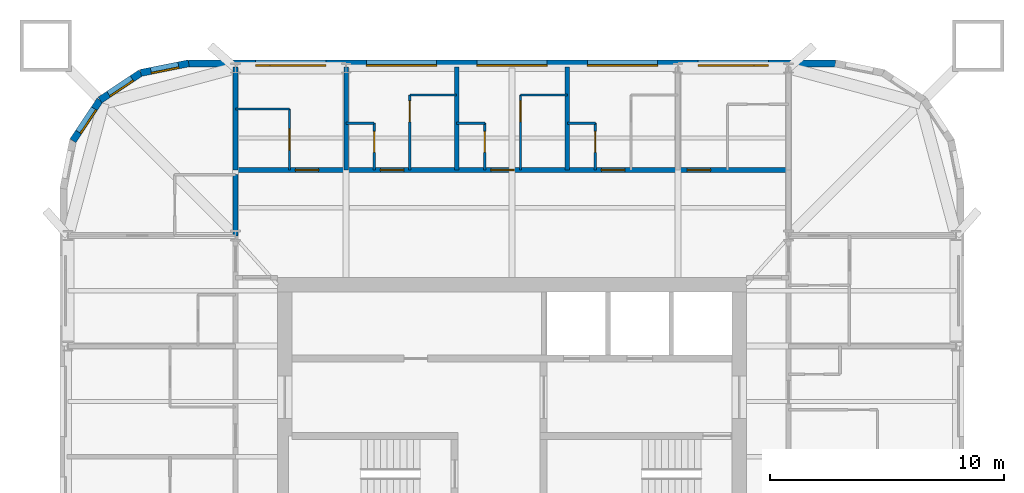
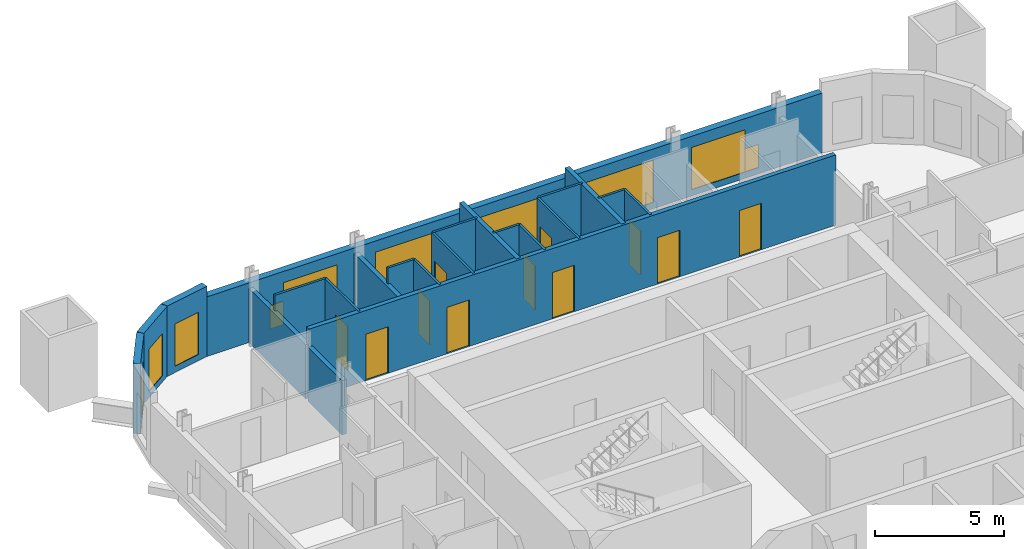
# One storey, part 7 of 9: 22 walls, 11 doors, 10 windows, 21 openings.
"""IFC4 building model written with IfcOpenShell, lengths in metres."""

from ifc_helpers import new_model, si_unit, direction, frame, frame_2d, origin, place, context, subcontext, project, spatial, rectangle, extrude, material, layer, layer_set, type_object, element, fill, save


model = new_model("IFC4")

# Units and contexts
model_context = context("Model", 3, precision=1e-05, world=origin(), true_north=direction((0.0, 1.0)))
body_context = subcontext(model_context, "Body", "Model", "MODEL_VIEW")
ifc_project = project(units=[si_unit("LENGTHUNIT", "METRE"), si_unit("AREAUNIT", "SQUARE_METRE"), si_unit("VOLUMEUNIT", "CUBIC_METRE"), si_unit("PLANEANGLEUNIT", "RADIAN"), si_unit("MASSUNIT", "GRAM", prefix="KILO")], contexts=[model_context])

# Site, building, storey
site_placement = place(None, origin())
site = spatial("IfcSite", under=ifc_project, at=site_placement, CompositionType="ELEMENT")
building_placement = place(site_placement, origin())
building = spatial("IfcBuilding", under=site, at=building_placement, Name="Turquesa Mirador Hotel Tower", CompositionType="ELEMENT")
storey_placement = place(building_placement, frame((0.0, 0.0, 172.300048828125)))
storey = spatial("IfcBuildingStorey", under=building, at=storey_placement, Name="L46", CompositionType="ELEMENT", Elevation=172.300048828125)

# Walls
ifc_material_1 = material(Name="Gypsum board on steel studs", Category="steel")
ifc_layer_1 = layer(ifc_material_1, 0.10009765625)
ifc_layer_set_1 = layer_set([ifc_layer_1], Name="BATHROOM WALL 100")
wall_type_1 = type_object("IfcWallType", Name="BATHROOM WALL 100", PredefinedType="PARTITIONING", material=ifc_layer_set_1)
for number, where, z_axis, x_axis, name in (
    (1, (47.919921875, 61.60009765625, 0.0), (0.0, 0.0, 1.0), (1.0, 0.0, 0.0), "Partition L46 031"),
    (2, (52.639892578125, 61.60009765625, 0.0), (0.0, 0.0, 1.0), (1.0, 0.0, 0.0), "Partition L46 032"),
):
    element("IfcWall", number, at=place(storey_placement, frame(where, z_axis=z_axis, x_axis=x_axis)), inside=storey, type_object=wall_type_1, Name=name, PredefinedType="PARTITIONING", context=body_context, shape_type="SweptSolid", body=[
        extrude(rectangle(XDim=1.2001953125, YDim=0.10009765625, at=frame_2d((0.60009765625, 0.0))), origin(), (0.0, 0.0, 1.0), 3.329833984375),
    ])
wall_1_placement = place(storey_placement, frame((57.360107421875, 61.60009765625, 0.0), z_axis=(0.0, 0.0, 1.0), x_axis=(1.0, 0.0, 0.0)))
element("IfcWall", 3, at=wall_1_placement, inside=storey, type_object=wall_type_1, Name="Partition L46 033", PredefinedType="PARTITIONING", context=body_context, shape_type="SweptSolid", body=[
    extrude(rectangle(XDim=1.199951171875, YDim=0.10009765625, at=frame_2d((0.60009765625, 0.0))), origin(), (0.0, 0.0, 1.0), 3.329833984375),
])
wall_2_placement = place(storey_placement, frame((43.199951171875, 62.199951171875, 0.0), z_axis=(0.0, 0.0, 1.0), x_axis=(1.0, 0.0, 0.0)))
element("IfcWall", 4, at=wall_2_placement, inside=storey, type_object=wall_type_1, Name="Partition L46 034", PredefinedType="PARTITIONING", context=body_context, shape_type="SweptSolid", body=[
    extrude(rectangle(XDim=2.300048828125, YDim=0.10009765625, at=frame_2d((1.14990234375, 0.0))), origin(), (0.0, 0.0, 1.0), 3.329833984375),
])
for number, where, z_axis, x_axis, name in (
    (5, (50.639892578125, 62.800048828125, 0.0), (0.0, 0.0, 1.0), (1.0, 0.0, 0.0), "Partition L46 036"),
    (6, (55.360107421875, 62.800048828125, 0.0), (0.0, 0.0, 1.0), (1.0, 0.0, 0.0), "Partition L46 037"),
):
    element("IfcWall", number, at=place(storey_placement, frame(where, z_axis=z_axis, x_axis=x_axis)), inside=storey, type_object=wall_type_1, Name=name, PredefinedType="PARTITIONING", context=body_context, shape_type="SweptSolid", body=[
        extrude(rectangle(XDim=2.0, YDim=0.10009765625, at=frame_2d((1.0, 0.0))), origin(), (0.0, 0.0, 1.0), 3.329833984375),
    ])

# Wall, opening, door
wall_3_placement = place(storey_placement, frame((53.840087890625, 59.60009765625, 0.0), z_axis=(0.0, 0.0, 1.0), x_axis=(0.0, 1.0, 0.0)))
wall_3 = element("IfcWall", 7, at=wall_3_placement, inside=storey, type_object=wall_type_1, Name="Partition L46 048", PredefinedType="PARTITIONING", context=body_context, shape_type="SweptSolid", body=[
    extrude(rectangle(XDim=2.0, YDim=0.10009765625, at=frame_2d((1.0, 0.0))), origin(), (0.0, 0.0, 1.0), 3.329833984375),
])
opening_1_placement = place(wall_3_placement, frame((0.75, 0.0, 0.0)))
opening_1 = element("IfcOpeningElement", 8, at=opening_1_placement, cuts=wall_3, Name="Opening D06", PredefinedType="OPENING", context=body_context, shape_type="SweptSolid", body=[
    extrude(rectangle(XDim=0.89990234375, YDim=2.10009765625, at=frame_2d((0.449951171875, 1.050048828125))), frame((0.0, 0.06005859375, 0.0), z_axis=(0.0, -1.0, 0.0), x_axis=(1.0, 0.0, 0.0)), (0.0, 0.0, 1.0), 0.1201171875),
])
ifc_material_2 = material(Name="Laminate door", Category="wood")
door_type_1 = type_object("IfcDoorType", Name="DOOR 900X2100 WC", OperationType="SINGLE_SWING_LEFT", PredefinedType="DOOR", material=ifc_material_2)
door_1_placement = place(opening_1_placement, origin())
door_1 = element("IfcDoor", 9, at=door_1_placement, inside=storey, type_object=door_type_1, Name="Door 4603W", OperationType="SINGLE_SWING_LEFT", OverallHeight=2.10009765625, OverallWidth=0.89990234375, PredefinedType="DOOR", context=body_context, shape_type="SweptSolid", body=[
    extrude(rectangle(XDim=0.89990234375, YDim=2.10009765625, at=frame_2d((0.449951171875, 1.050048828125))), frame((0.0, 0.02490234375, 0.0), z_axis=(0.0, -1.0, 0.0), x_axis=(1.0, 0.0, 0.0)), (0.0, 0.0, 1.0), 0.050048828125),
])
fill(opening_1, door_1)

wall_4_placement = place(storey_placement, frame((50.639892578125, 59.60009765625, 0.0), z_axis=(0.0, 0.0, 1.0), x_axis=(0.0, 1.0, 0.0)))
wall_4 = element("IfcWall", 10, at=wall_4_placement, inside=storey, type_object=wall_type_1, Name="Partition L46 062", PredefinedType="PARTITIONING", context=body_context, shape_type="SweptSolid", body=[
    extrude(rectangle(XDim=3.199951171875, YDim=0.10009765625, at=frame_2d((1.60009765625, 0.0))), origin(), (0.0, 0.0, 1.0), 3.329833984375),
])
opening_2_placement = place(wall_4_placement, frame((2.050048828125, 0.0, 0.0)))
opening_2 = element("IfcOpeningElement", 11, at=opening_2_placement, cuts=wall_4, Name="Opening D02", PredefinedType="OPENING", context=body_context, shape_type="SweptSolid", body=[
    extrude(rectangle(XDim=0.89990234375, YDim=2.10009765625, at=frame_2d((0.449951171875, 1.050048828125))), frame((0.0, 0.06005859375, 0.0), z_axis=(0.0, -1.0, 0.0), x_axis=(1.0, 0.0, 0.0)), (0.0, 0.0, 1.0), 0.1201171875),
])
ifc_material_3 = material(Name="Timber veneered door", Category="wood")
door_type_2 = type_object("IfcDoorType", Name="DOOR 900X2100 EN-SUITE", OperationType="SINGLE_SWING_RIGHT", PredefinedType="DOOR", material=ifc_material_3)
door_2_placement = place(opening_2_placement, origin())
door_2 = element("IfcDoor", 12, at=door_2_placement, inside=storey, type_object=door_type_2, Name="Door 4602B", OperationType="SINGLE_SWING_RIGHT", OverallHeight=2.10009765625, OverallWidth=0.89990234375, PredefinedType="DOOR", context=body_context, shape_type="SweptSolid", body=[
    extrude(rectangle(XDim=0.89990234375, YDim=2.10009765625, at=frame_2d((0.449951171875, 1.050048828125))), frame((0.0, 0.02490234375, 0.0), z_axis=(0.0, -1.0, 0.0), x_axis=(1.0, 0.0, 0.0)), (0.0, 0.0, 1.0), 0.050048828125),
])
fill(opening_2, door_2)

wall_5_placement = place(storey_placement, frame((49.1201171875, 59.60009765625, 0.0), z_axis=(0.0, 0.0, 1.0), x_axis=(0.0, 1.0, 0.0)))
wall_5 = element("IfcWall", 13, at=wall_5_placement, inside=storey, type_object=wall_type_1, Name="Partition L46 064", PredefinedType="PARTITIONING", context=body_context, shape_type="SweptSolid", body=[
    extrude(rectangle(XDim=2.0, YDim=0.10009765625, at=frame_2d((1.0, 0.0))), origin(), (0.0, 0.0, 1.0), 3.329833984375),
])
opening_3_placement = place(wall_5_placement, frame((0.75, 0.0, 0.0)))
opening_3 = element("IfcOpeningElement", 14, at=opening_3_placement, cuts=wall_5, Name="Opening D06", PredefinedType="OPENING", context=body_context, shape_type="SweptSolid", body=[
    extrude(rectangle(XDim=0.89990234375, YDim=2.10009765625, at=frame_2d((0.449951171875, 1.050048828125))), frame((0.0, 0.06005859375, 0.0), z_axis=(0.0, -1.0, 0.0), x_axis=(1.0, 0.0, 0.0)), (0.0, 0.0, 1.0), 0.1201171875),
])
door_3_placement = place(opening_3_placement, origin())
door_3 = element("IfcDoor", 15, at=door_3_placement, inside=storey, type_object=door_type_1, Name="Door 4602W", OperationType="SINGLE_SWING_LEFT", OverallHeight=2.10009765625, OverallWidth=0.89990234375, PredefinedType="DOOR", context=body_context, shape_type="SweptSolid", body=[
    extrude(rectangle(XDim=0.89990234375, YDim=2.10009765625, at=frame_2d((0.449951171875, 1.050048828125))), frame((0.0, 0.02490234375, 0.0), z_axis=(0.0, -1.0, 0.0), x_axis=(1.0, 0.0, 0.0)), (0.0, 0.0, 1.0), 0.050048828125),
])
fill(opening_3, door_3)

wall_6_placement = place(storey_placement, frame((45.5, 59.60009765625, 0.0), z_axis=(0.0, 0.0, 1.0), x_axis=(0.0, 1.0, 0.0)))
wall_6 = element("IfcWall", 16, at=wall_6_placement, inside=storey, type_object=wall_type_1, Name="Partition L46 069", PredefinedType="PARTITIONING", context=body_context, shape_type="SweptSolid", body=[
    extrude(rectangle(XDim=2.599853515625, YDim=0.10009765625, at=frame_2d((1.2998046875, 0.0))), origin(), (0.0, 0.0, 1.0), 3.329833984375),
])
opening_4_placement = place(wall_6_placement, frame((0.85009765625, 0.0, 0.0)))
opening_4 = element("IfcOpeningElement", 17, at=opening_4_placement, cuts=wall_6, Name="Opening D02", PredefinedType="OPENING", context=body_context, shape_type="SweptSolid", body=[
    extrude(rectangle(XDim=0.89990234375, YDim=2.10009765625, at=frame_2d((0.449951171875, 1.050048828125))), frame((0.0, 0.06005859375, 0.0), z_axis=(0.0, -1.0, 0.0), x_axis=(1.0, 0.0, 0.0)), (0.0, 0.0, 1.0), 0.1201171875),
])
door_4_placement = place(opening_4_placement, origin())
door_4 = element("IfcDoor", 18, at=door_4_placement, inside=storey, type_object=door_type_2, Name="Door 4601B", OperationType="SINGLE_SWING_RIGHT", OverallHeight=2.10009765625, OverallWidth=0.89990234375, PredefinedType="DOOR", context=body_context, shape_type="SweptSolid", body=[
    extrude(rectangle(XDim=0.89990234375, YDim=2.10009765625, at=frame_2d((0.449951171875, 1.050048828125))), frame((0.0, 0.02490234375, 0.0), z_axis=(0.0, -1.0, 0.0), x_axis=(1.0, 0.0, 0.0)), (0.0, 0.0, 1.0), 0.050048828125),
])
fill(opening_4, door_4)

wall_7_placement = place(storey_placement, frame((55.360107421875, 59.60009765625, 0.0), z_axis=(0.0, 0.0, 1.0), x_axis=(0.0, 1.0, 0.0)))
wall_7 = element("IfcWall", 19, at=wall_7_placement, inside=storey, type_object=wall_type_1, Name="Partition L46 070", PredefinedType="PARTITIONING", context=body_context, shape_type="SweptSolid", body=[
    extrude(rectangle(XDim=3.199951171875, YDim=0.10009765625, at=frame_2d((1.60009765625, 0.0))), origin(), (0.0, 0.0, 1.0), 3.329833984375),
])
opening_5_placement = place(wall_7_placement, frame((2.050048828125, 0.0, 0.0)))
opening_5 = element("IfcOpeningElement", 20, at=opening_5_placement, cuts=wall_7, Name="Opening D02", PredefinedType="OPENING", context=body_context, shape_type="SweptSolid", body=[
    extrude(rectangle(XDim=0.89990234375, YDim=2.10009765625, at=frame_2d((0.449951171875, 1.050048828125))), frame((0.0, 0.06005859375, 0.0), z_axis=(0.0, -1.0, 0.0), x_axis=(1.0, 0.0, 0.0)), (0.0, 0.0, 1.0), 0.1201171875),
])
door_5_placement = place(opening_5_placement, origin())
door_5 = element("IfcDoor", 21, at=door_5_placement, inside=storey, type_object=door_type_2, Name="Door 4603B", OperationType="SINGLE_SWING_RIGHT", OverallHeight=2.10009765625, OverallWidth=0.89990234375, PredefinedType="DOOR", context=body_context, shape_type="SweptSolid", body=[
    extrude(rectangle(XDim=0.89990234375, YDim=2.10009765625, at=frame_2d((0.449951171875, 1.050048828125))), frame((0.0, 0.02490234375, 0.0), z_axis=(0.0, -1.0, 0.0), x_axis=(1.0, 0.0, 0.0)), (0.0, 0.0, 1.0), 0.050048828125),
])
fill(opening_5, door_5)

wall_8_placement = place(storey_placement, frame((58.56005859375, 59.60009765625, 0.0), z_axis=(0.0, 0.0, 1.0), x_axis=(0.0, 1.0, 0.0)))
wall_8 = element("IfcWall", 22, at=wall_8_placement, inside=storey, type_object=wall_type_1, Name="Partition L46 087", PredefinedType="PARTITIONING", context=body_context, shape_type="SweptSolid", body=[
    extrude(rectangle(XDim=2.0, YDim=0.10009765625, at=frame_2d((1.0, 0.0))), origin(), (0.0, 0.0, 1.0), 3.329833984375),
])
opening_6_placement = place(wall_8_placement, frame((0.75, 0.0, 0.0)))
opening_6 = element("IfcOpeningElement", 23, at=opening_6_placement, cuts=wall_8, Name="Opening D06", PredefinedType="OPENING", context=body_context, shape_type="SweptSolid", body=[
    extrude(rectangle(XDim=0.89990234375, YDim=2.10009765625, at=frame_2d((0.449951171875, 1.050048828125))), frame((0.0, 0.06005859375, 0.0), z_axis=(0.0, -1.0, 0.0), x_axis=(1.0, 0.0, 0.0)), (0.0, 0.0, 1.0), 0.1201171875),
])
door_6_placement = place(opening_6_placement, origin())
door_6 = element("IfcDoor", 24, at=door_6_placement, inside=storey, type_object=door_type_1, Name="Door 4604W", OperationType="SINGLE_SWING_LEFT", OverallHeight=2.10009765625, OverallWidth=0.89990234375, PredefinedType="DOOR", context=body_context, shape_type="SweptSolid", body=[
    extrude(rectangle(XDim=0.89990234375, YDim=2.10009765625, at=frame_2d((0.449951171875, 1.050048828125))), frame((0.0, 0.02490234375, 0.0), z_axis=(0.0, -1.0, 0.0), x_axis=(1.0, 0.0, 0.0)), (0.0, 0.0, 1.0), 0.050048828125),
])
fill(opening_6, door_6)

# Wall, openings, doors
ifc_material_4 = material(Name="Fire-rated gypsum board on steel studs", Category="steel")
ifc_layer_2 = layer(ifc_material_4, 0.199951171875)
ifc_layer_set_2 = layer_set([ifc_layer_2], Name="CORRIDOR WALL 200")
wall_type_2 = type_object("IfcWallType", Name="CORRIDOR WALL 200", PredefinedType="PARTITIONING", material=ifc_layer_set_2)
wall_9_placement = place(storey_placement, frame((43.199951171875, 59.60009765625, 0.0), z_axis=(0.0, 0.0, 1.0), x_axis=(1.0, 0.0, 0.0)))
wall_9 = element("IfcWall", 25, at=wall_9_placement, inside=storey, type_object=wall_type_2, Name="Partition L46 030", PredefinedType="PARTITIONING", context=body_context, shape_type="SweptSolid", body=[
    extrude(rectangle(XDim=23.60009765625, YDim=0.199951171875, at=frame_2d((11.800048828125, 0.0))), origin(), (0.0, 0.0, 1.0), 3.329833984375),
])
opening_7_placement = place(wall_9_placement, frame((2.550048828125, 0.0, 0.0)))
opening_7 = element("IfcOpeningElement", 26, at=opening_7_placement, cuts=wall_9, Name="Opening D01", PredefinedType="OPENING", context=body_context, shape_type="SweptSolid", body=[
    extrude(rectangle(XDim=1.0, YDim=2.199951171875, at=frame_2d((0.5, 1.10009765625))), frame((0.0, 0.10986328125, 0.0), z_axis=(0.0, -1.0, 0.0), x_axis=(1.0, 0.0, 0.0)), (0.0, 0.0, 1.0), 0.219970703125),
])
opening_8_placement = place(wall_9_placement, frame((6.179931640625, 0.0, 0.0)))
opening_8 = element("IfcOpeningElement", 27, at=opening_8_placement, cuts=wall_9, Name="Opening D01", PredefinedType="OPENING", context=body_context, shape_type="SweptSolid", body=[
    extrude(rectangle(XDim=1.0, YDim=2.199951171875, at=frame_2d((0.5, 1.10009765625))), frame((0.0, 0.10986328125, 0.0), z_axis=(0.0, -1.0, 0.0), x_axis=(1.0, 0.0, 0.0)), (0.0, 0.0, 1.0), 0.219970703125),
])
opening_9_placement = place(wall_9_placement, frame((10.89990234375, 0.0, 0.0)))
opening_9 = element("IfcOpeningElement", 28, at=opening_9_placement, cuts=wall_9, Name="Opening D01", PredefinedType="OPENING", context=body_context, shape_type="SweptSolid", body=[
    extrude(rectangle(XDim=1.0, YDim=2.199951171875, at=frame_2d((0.5, 1.10009765625))), frame((0.0, 0.10986328125, 0.0), z_axis=(0.0, -1.0, 0.0), x_axis=(1.0, 0.0, 0.0)), (0.0, 0.0, 1.0), 0.219970703125),
])
opening_10_placement = place(wall_9_placement, frame((15.6201171875, 0.0, 0.0)))
opening_10 = element("IfcOpeningElement", 29, at=opening_10_placement, cuts=wall_9, Name="Opening D01", PredefinedType="OPENING", context=body_context, shape_type="SweptSolid", body=[
    extrude(rectangle(XDim=1.0, YDim=2.199951171875, at=frame_2d((0.5, 1.10009765625))), frame((0.0, 0.10986328125, 0.0), z_axis=(0.0, -1.0, 0.0), x_axis=(1.0, 0.0, 0.0)), (0.0, 0.0, 1.0), 0.219970703125),
])
opening_11_placement = place(wall_9_placement, frame((19.280029296875, 0.0, 0.0)))
opening_11 = element("IfcOpeningElement", 30, at=opening_11_placement, cuts=wall_9, Name="Opening D01", PredefinedType="OPENING", context=body_context, shape_type="SweptSolid", body=[
    extrude(rectangle(XDim=1.0, YDim=2.199951171875, at=frame_2d((0.5, 1.10009765625))), frame((0.0, 0.10986328125, 0.0), z_axis=(0.0, -1.0, 0.0), x_axis=(1.0, 0.0, 0.0)), (0.0, 0.0, 1.0), 0.219970703125),
])
ifc_material_5 = material(Name="Timber veneered fire door", Category="wood")
door_type_3 = type_object("IfcDoorType", Name="DOOR 1000X2200 GUEST ENTRY", OperationType="SINGLE_SWING_LEFT", PredefinedType="DOOR", material=ifc_material_5)
door_7_placement = place(opening_7_placement, origin())
door_7 = element("IfcDoor", 31, at=door_7_placement, inside=storey, type_object=door_type_3, Name="Door 4601", OperationType="SINGLE_SWING_LEFT", OverallHeight=2.199951171875, OverallWidth=1.0, PredefinedType="DOOR", context=body_context, shape_type="SweptSolid", body=[
    extrude(rectangle(XDim=1.0, YDim=2.199951171875, at=frame_2d((0.5, 1.10009765625))), frame((0.0, 0.02490234375, 0.0), z_axis=(0.0, -1.0, 0.0), x_axis=(1.0, 0.0, 0.0)), (0.0, 0.0, 1.0), 0.050048828125),
])
fill(opening_7, door_7)
door_8_placement = place(opening_8_placement, origin())
door_8 = element("IfcDoor", 32, at=door_8_placement, inside=storey, type_object=door_type_3, Name="Door 4602", OperationType="SINGLE_SWING_LEFT", OverallHeight=2.199951171875, OverallWidth=1.0, PredefinedType="DOOR", context=body_context, shape_type="SweptSolid", body=[
    extrude(rectangle(XDim=1.0, YDim=2.199951171875, at=frame_2d((0.5, 1.10009765625))), frame((0.0, 0.02490234375, 0.0), z_axis=(0.0, -1.0, 0.0), x_axis=(1.0, 0.0, 0.0)), (0.0, 0.0, 1.0), 0.050048828125),
])
fill(opening_8, door_8)
door_9_placement = place(opening_9_placement, origin())
door_9 = element("IfcDoor", 33, at=door_9_placement, inside=storey, type_object=door_type_3, Name="Door 4603", OperationType="SINGLE_SWING_LEFT", OverallHeight=2.199951171875, OverallWidth=1.0, PredefinedType="DOOR", context=body_context, shape_type="SweptSolid", body=[
    extrude(rectangle(XDim=1.0, YDim=2.199951171875, at=frame_2d((0.5, 1.10009765625))), frame((0.0, 0.02490234375, 0.0), z_axis=(0.0, -1.0, 0.0), x_axis=(1.0, 0.0, 0.0)), (0.0, 0.0, 1.0), 0.050048828125),
])
fill(opening_9, door_9)
door_10_placement = place(opening_10_placement, origin())
door_10 = element("IfcDoor", 34, at=door_10_placement, inside=storey, type_object=door_type_3, Name="Door 4604", OperationType="SINGLE_SWING_LEFT", OverallHeight=2.199951171875, OverallWidth=1.0, PredefinedType="DOOR", context=body_context, shape_type="SweptSolid", body=[
    extrude(rectangle(XDim=1.0, YDim=2.199951171875, at=frame_2d((0.5, 1.10009765625))), frame((0.0, 0.02490234375, 0.0), z_axis=(0.0, -1.0, 0.0), x_axis=(1.0, 0.0, 0.0)), (0.0, 0.0, 1.0), 0.050048828125),
])
fill(opening_10, door_10)
door_11_placement = place(opening_11_placement, origin())
door_11 = element("IfcDoor", 35, at=door_11_placement, inside=storey, type_object=door_type_3, Name="Door 4605", OperationType="SINGLE_SWING_LEFT", OverallHeight=2.199951171875, OverallWidth=1.0, PredefinedType="DOOR", context=body_context, shape_type="SweptSolid", body=[
    extrude(rectangle(XDim=1.0, YDim=2.199951171875, at=frame_2d((0.5, 1.10009765625))), frame((0.0, 0.02490234375, 0.0), z_axis=(0.0, -1.0, 0.0), x_axis=(1.0, 0.0, 0.0)), (0.0, 0.0, 1.0), 0.050048828125),
])
fill(opening_11, door_11)

# Wall
wall_10_placement = place(storey_placement, frame((43.199951171875, 56.780029296875, 0.0), z_axis=(0.0, 0.0, 1.0), x_axis=(0.0, 1.0, 0.0)))
element("IfcWall", 36, at=wall_10_placement, inside=storey, type_object=wall_type_2, Name="Partition L46 092", PredefinedType="PARTITIONING", context=body_context, shape_type="SweptSolid", body=[
    extrude(rectangle(XDim=2.619873046875, YDim=0.199951171875, at=frame_2d((1.31005859375, 0.0))), origin(), (0.0, 0.0, 1.0), 2.572998046875),
])

# Wall, openings, windows
ifc_material_6 = material(Name="Limestone cladding on concrete block", Category="masonry")
ifc_layer_3 = layer(ifc_material_6, 0.300048828125)
ifc_layer_set_3 = layer_set([ifc_layer_3], Name="FACADE WALL 300 STONE SCREEN")
wall_type_3 = type_object("IfcWallType", Name="FACADE WALL 300 STONE SCREEN", PredefinedType="SOLIDWALL", material=ifc_layer_set_3)
wall_11_placement = place(storey_placement, frame((68.800048828125, 64.14990234375, 0.0), z_axis=(0.0, 0.0, 1.0), x_axis=(-1.0, 0.0, 0.0)))
wall_11 = element("IfcWall", 37, at=wall_11_placement, inside=storey, type_object=wall_type_3, Name="Facade wall L46 09", PredefinedType="SOLIDWALL", context=body_context, shape_type="SweptSolid", body=[
    extrude(rectangle(XDim=27.60009765625, YDim=0.300048828125, at=frame_2d((13.800048828125, 0.0))), origin(), (0.0, 0.0, 1.0), 2.829833984375),
])
opening_12_placement = place(wall_11_placement, frame((3.4599609375, 0.0, 0.300048828125)))
opening_12 = element("IfcOpeningElement", 38, at=opening_12_placement, cuts=wall_11, Name="Opening WN2", PredefinedType="OPENING", context=body_context, shape_type="SweptSolid", body=[
    extrude(rectangle(XDim=2.39990234375, YDim=2.0, at=frame_2d((1.199951171875, 1.0))), frame((0.0, 0.159912109375, 0.0), z_axis=(0.0, -1.0, 0.0), x_axis=(1.0, 0.0, 0.0)), (0.0, 0.0, 1.0), 0.320068359375),
])
opening_13_placement = place(wall_11_placement, frame((7.580078125, 0.0, 0.300048828125)))
opening_13 = element("IfcOpeningElement", 39, at=opening_13_placement, cuts=wall_11, Name="Opening WN1", PredefinedType="OPENING", context=body_context, shape_type="SweptSolid", body=[
    extrude(rectangle(XDim=3.0, YDim=2.0, at=frame_2d((1.5, 1.0))), frame((0.0, 0.159912109375, 0.0), z_axis=(0.0, -1.0, 0.0), x_axis=(1.0, 0.0, 0.0)), (0.0, 0.0, 1.0), 0.320068359375),
])
opening_14_placement = place(wall_11_placement, frame((12.300048828125, 0.0, 0.300048828125)))
opening_14 = element("IfcOpeningElement", 40, at=opening_14_placement, cuts=wall_11, Name="Opening WN1", PredefinedType="OPENING", context=body_context, shape_type="SweptSolid", body=[
    extrude(rectangle(XDim=3.0, YDim=2.0, at=frame_2d((1.5, 1.0))), frame((0.0, 0.159912109375, 0.0), z_axis=(0.0, -1.0, 0.0), x_axis=(1.0, 0.0, 0.0)), (0.0, 0.0, 1.0), 0.320068359375),
])
opening_15_placement = place(wall_11_placement, frame((17.02001953125, 0.0, 0.300048828125)))
opening_15 = element("IfcOpeningElement", 41, at=opening_15_placement, cuts=wall_11, Name="Opening WN1", PredefinedType="OPENING", context=body_context, shape_type="SweptSolid", body=[
    extrude(rectangle(XDim=3.0, YDim=2.0, at=frame_2d((1.5, 1.0))), frame((0.0, 0.159912109375, 0.0), z_axis=(0.0, -1.0, 0.0), x_axis=(1.0, 0.0, 0.0)), (0.0, 0.0, 1.0), 0.320068359375),
])
opening_16_placement = place(wall_11_placement, frame((21.739990234375, 0.0, 0.300048828125)))
opening_16 = element("IfcOpeningElement", 42, at=opening_16_placement, cuts=wall_11, Name="Opening WN2", PredefinedType="OPENING", context=body_context, shape_type="SweptSolid", body=[
    extrude(rectangle(XDim=2.39990234375, YDim=2.0, at=frame_2d((1.199951171875, 1.0))), frame((0.0, 0.159912109375, 0.0), z_axis=(0.0, -1.0, 0.0), x_axis=(1.0, 0.0, 0.0)), (0.0, 0.0, 1.0), 0.320068359375),
])
opening_17_placement = place(wall_11_placement, frame((2.860107421875, 0.0, 0.300048828125)))
opening_17 = element("IfcOpeningElement", 43, at=opening_17_placement, cuts=wall_11, Name="Opening WN30", PredefinedType="OPENING", context=body_context, shape_type="SweptSolid", body=[
    extrude(rectangle(XDim=0.60009765625, YDim=1.10009765625, at=frame_2d((0.300048828125, 0.550048828125))), frame((0.0, 0.159912109375, 0.0), z_axis=(0.0, -1.0, 0.0), x_axis=(1.0, 0.0, 0.0)), (0.0, 0.0, 1.0), 0.320068359375),
])
opening_18_placement = place(wall_11_placement, frame((24.139892578125, 0.0, 0.300048828125)))
opening_18 = element("IfcOpeningElement", 44, at=opening_18_placement, cuts=wall_11, Name="Opening WN30", PredefinedType="OPENING", context=body_context, shape_type="SweptSolid", body=[
    extrude(rectangle(XDim=0.60009765625, YDim=1.10009765625, at=frame_2d((0.300048828125, 0.550048828125))), frame((0.0, 0.159912109375, 0.0), z_axis=(0.0, -1.0, 0.0), x_axis=(1.0, 0.0, 0.0)), (0.0, 0.0, 1.0), 0.320068359375),
])
ifc_material_7 = material(Name="Ceramic-fritted laminated glass", Category="glass")
window_type_1 = type_object("IfcWindowType", Name="FRITTED WINDOW 2400X2000", PartitioningType="DOUBLE_PANEL_HORIZONTAL", PredefinedType="WINDOW", material=ifc_material_7)
window_1_placement = place(opening_12_placement, origin())
window_1 = element("IfcWindow", 45, at=window_1_placement, inside=storey, type_object=window_type_1, Name="Window L46", OverallHeight=2.0, OverallWidth=2.39990234375, PartitioningType="SINGLE_PANEL", PredefinedType="WINDOW", context=body_context, shape_type="SweptSolid", body=[
    extrude(rectangle(XDim=2.39990234375, YDim=2.0, at=frame_2d((1.199951171875, 1.0))), frame((0.0, 0.130126953125, 0.0), z_axis=(0.0, -1.0, 0.0), x_axis=(1.0, 0.0, 0.0)), (0.0, 0.0, 1.0), 0.06005859375),
])
fill(opening_12, window_1)
window_2_placement = place(opening_16_placement, origin())
window_2 = element("IfcWindow", 46, at=window_2_placement, inside=storey, type_object=window_type_1, Name="Window L46", OverallHeight=2.0, OverallWidth=2.39990234375, PartitioningType="SINGLE_PANEL", PredefinedType="WINDOW", context=body_context, shape_type="SweptSolid", body=[
    extrude(rectangle(XDim=2.39990234375, YDim=2.0, at=frame_2d((1.199951171875, 1.0))), frame((0.0, 0.130126953125, 0.0), z_axis=(0.0, -1.0, 0.0), x_axis=(1.0, 0.0, 0.0)), (0.0, 0.0, 1.0), 0.06005859375),
])
fill(opening_16, window_2)
ifc_material_8 = material(Name="Ceramic-fritted laminated glass", Category="glass")
window_type_2 = type_object("IfcWindowType", Name="FRITTED WINDOW 3000X2000", PartitioningType="DOUBLE_PANEL_HORIZONTAL", PredefinedType="WINDOW", material=ifc_material_8)
window_3_placement = place(opening_13_placement, origin())
window_3 = element("IfcWindow", 47, at=window_3_placement, inside=storey, type_object=window_type_2, Name="Window L46", OverallHeight=2.0, OverallWidth=3.0, PartitioningType="SINGLE_PANEL", PredefinedType="WINDOW", context=body_context, shape_type="SweptSolid", body=[
    extrude(rectangle(XDim=3.0, YDim=2.0, at=frame_2d((1.5, 1.0))), frame((0.0, 0.130126953125, 0.0), z_axis=(0.0, -1.0, 0.0), x_axis=(1.0, 0.0, 0.0)), (0.0, 0.0, 1.0), 0.06005859375),
])
fill(opening_13, window_3)
window_4_placement = place(opening_14_placement, origin())
window_4 = element("IfcWindow", 48, at=window_4_placement, inside=storey, type_object=window_type_2, Name="Window L46", OverallHeight=2.0, OverallWidth=3.0, PartitioningType="SINGLE_PANEL", PredefinedType="WINDOW", context=body_context, shape_type="SweptSolid", body=[
    extrude(rectangle(XDim=3.0, YDim=2.0, at=frame_2d((1.5, 1.0))), frame((0.0, 0.130126953125, 0.0), z_axis=(0.0, -1.0, 0.0), x_axis=(1.0, 0.0, 0.0)), (0.0, 0.0, 1.0), 0.06005859375),
])
fill(opening_14, window_4)
window_5_placement = place(opening_15_placement, origin())
window_5 = element("IfcWindow", 49, at=window_5_placement, inside=storey, type_object=window_type_2, Name="Window L46", OverallHeight=2.0, OverallWidth=3.0, PartitioningType="SINGLE_PANEL", PredefinedType="WINDOW", context=body_context, shape_type="SweptSolid", body=[
    extrude(rectangle(XDim=3.0, YDim=2.0, at=frame_2d((1.5, 1.0))), frame((0.0, 0.130126953125, 0.0), z_axis=(0.0, -1.0, 0.0), x_axis=(1.0, 0.0, 0.0)), (0.0, 0.0, 1.0), 0.06005859375),
])
fill(opening_15, window_5)
ifc_material_9 = material(Name="Ceramic-fritted laminated glass", Category="glass")
window_type_3 = type_object("IfcWindowType", Name="FRITTED WINDOW 600X1100", PartitioningType="DOUBLE_PANEL_HORIZONTAL", PredefinedType="WINDOW", material=ifc_material_9)
window_6_placement = place(opening_17_placement, origin())
window_6 = element("IfcWindow", 50, at=window_6_placement, inside=storey, type_object=window_type_3, Name="Window L46", OverallHeight=1.10009765625, OverallWidth=0.60009765625, PartitioningType="SINGLE_PANEL", PredefinedType="WINDOW", context=body_context, shape_type="SweptSolid", body=[
    extrude(rectangle(XDim=0.60009765625, YDim=1.10009765625, at=frame_2d((0.300048828125, 0.550048828125))), frame((0.0, 0.130126953125, 0.0), z_axis=(0.0, -1.0, 0.0), x_axis=(1.0, 0.0, 0.0)), (0.0, 0.0, 1.0), 0.06005859375),
])
fill(opening_17, window_6)
window_7_placement = place(opening_18_placement, origin())
window_7 = element("IfcWindow", 51, at=window_7_placement, inside=storey, type_object=window_type_3, Name="Window L46", OverallHeight=1.10009765625, OverallWidth=0.60009765625, PartitioningType="SINGLE_PANEL", PredefinedType="WINDOW", context=body_context, shape_type="SweptSolid", body=[
    extrude(rectangle(XDim=0.60009765625, YDim=1.10009765625, at=frame_2d((0.300048828125, 0.550048828125))), frame((0.0, 0.130126953125, 0.0), z_axis=(0.0, -1.0, 0.0), x_axis=(1.0, 0.0, 0.0)), (0.0, 0.0, 1.0), 0.06005859375),
])
fill(opening_18, window_7)

# Wall, opening, window
wall_12_placement = place(storey_placement, frame((41.199951171875, 64.14990234375, 0.0), z_axis=(0.0, 0.0, 1.0), x_axis=(-0.980787050784, -0.195081421501, 0.0)))
wall_12 = element("IfcWall", 52, at=wall_12_placement, inside=storey, type_object=wall_type_3, Name="Facade wall L46 10", PredefinedType="SOLIDWALL", context=body_context, shape_type="SweptSolid", body=[
    extrude(rectangle(XDim=2.08740234375, YDim=0.300048828125, at=frame_2d((1.043701171875, 0.0))), origin(), (0.0, 0.0, 1.0), 3.329833984375),
])
opening_19_placement = place(wall_12_placement, frame((0.443603515625, 0.0, 0.300048828125)))
opening_19 = element("IfcOpeningElement", 53, at=opening_19_placement, cuts=wall_12, Name="Opening WN4", PredefinedType="OPENING", context=body_context, shape_type="SweptSolid", body=[
    extrude(rectangle(XDim=1.199951171875, YDim=2.0, at=frame_2d((0.60009765625, 1.0))), frame((0.0, 0.159912109375, 0.0), z_axis=(0.0, -1.0, 0.0), x_axis=(1.0, 0.0, 0.0)), (0.0, 0.0, 1.0), 0.320068359375),
])
ifc_material_10 = material(Name="Ceramic-fritted laminated glass", Category="glass")
window_type_4 = type_object("IfcWindowType", Name="FRITTED CORNER WINDOW 1200X2000", PartitioningType="DOUBLE_PANEL_HORIZONTAL", PredefinedType="WINDOW", material=ifc_material_10)
window_8_placement = place(opening_19_placement, origin())
window_8 = element("IfcWindow", 54, at=window_8_placement, inside=storey, type_object=window_type_4, Name="Window L46", OverallHeight=2.0, OverallWidth=1.199951171875, PartitioningType="SINGLE_PANEL", PredefinedType="WINDOW", context=body_context, shape_type="SweptSolid", body=[
    extrude(rectangle(XDim=1.199951171875, YDim=2.0, at=frame_2d((0.60009765625, 1.0))), frame((0.0, 0.130126953125, 0.0), z_axis=(0.0, -1.0, 0.0), x_axis=(1.0, 0.0, 0.0)), (0.0, 0.0, 1.0), 0.06005859375),
])
fill(opening_19, window_8)

wall_13_placement = place(storey_placement, frame((39.152587890625, 63.74267578125, 0.0), z_axis=(0.0, 0.0, 1.0), x_axis=(-0.831474039234, -0.555563607591, 0.0)))
wall_13 = element("IfcWall", 55, at=wall_13_placement, inside=storey, type_object=wall_type_3, Name="Facade wall L46 11", PredefinedType="SOLIDWALL", context=body_context, shape_type="SweptSolid", body=[
    extrude(rectangle(XDim=2.08740234375, YDim=0.300048828125, at=frame_2d((1.043701171875, 0.0))), origin(), (0.0, 0.0, 1.0), 3.329833984375),
])
opening_20_placement = place(wall_13_placement, frame((0.443603515625, 0.0, 0.300048828125)))
opening_20 = element("IfcOpeningElement", 56, at=opening_20_placement, cuts=wall_13, Name="Opening WN4", PredefinedType="OPENING", context=body_context, shape_type="SweptSolid", body=[
    extrude(rectangle(XDim=1.199951171875, YDim=2.0, at=frame_2d((0.60009765625, 1.0))), frame((0.0, 0.159912109375, 0.0), z_axis=(0.0, -1.0, 0.0), x_axis=(1.0, 0.0, 0.0)), (0.0, 0.0, 1.0), 0.320068359375),
])
window_9_placement = place(opening_20_placement, origin())
window_9 = element("IfcWindow", 57, at=window_9_placement, inside=storey, type_object=window_type_4, Name="Window L46", OverallHeight=2.0, OverallWidth=1.199951171875, PartitioningType="SINGLE_PANEL", PredefinedType="WINDOW", context=body_context, shape_type="SweptSolid", body=[
    extrude(rectangle(XDim=1.199951171875, YDim=2.0, at=frame_2d((0.60009765625, 1.0))), frame((0.0, 0.130126953125, 0.0), z_axis=(0.0, -1.0, 0.0), x_axis=(1.0, 0.0, 0.0)), (0.0, 0.0, 1.0), 0.06005859375),
])
fill(opening_20, window_9)

wall_14_placement = place(storey_placement, frame((37.4169921875, 62.5830078125, 0.0), z_axis=(0.0, 0.0, 1.0), x_axis=(-0.555563607591, -0.831474039234, 0.0)))
wall_14 = element("IfcWall", 58, at=wall_14_placement, inside=storey, type_object=wall_type_3, Name="Facade wall L46 12", PredefinedType="SOLIDWALL", context=body_context, shape_type="SweptSolid", body=[
    extrude(rectangle(XDim=2.08740234375, YDim=0.300048828125, at=frame_2d((1.043701171875, 0.0))), origin(), (0.0, 0.0, 1.0), 3.329833984375),
])
opening_21_placement = place(wall_14_placement, frame((0.443603515625, 0.0, 0.300048828125)))
opening_21 = element("IfcOpeningElement", 59, at=opening_21_placement, cuts=wall_14, Name="Opening WN4", PredefinedType="OPENING", context=body_context, shape_type="SweptSolid", body=[
    extrude(rectangle(XDim=1.199951171875, YDim=2.0, at=frame_2d((0.60009765625, 1.0))), frame((0.0, 0.159912109375, 0.0), z_axis=(0.0, -1.0, 0.0), x_axis=(1.0, 0.0, 0.0)), (0.0, 0.0, 1.0), 0.320068359375),
])
window_10_placement = place(opening_21_placement, origin())
window_10 = element("IfcWindow", 60, at=window_10_placement, inside=storey, type_object=window_type_4, Name="Window L46", OverallHeight=2.0, OverallWidth=1.199951171875, PartitioningType="SINGLE_PANEL", PredefinedType="WINDOW", context=body_context, shape_type="SweptSolid", body=[
    extrude(rectangle(XDim=1.199951171875, YDim=2.0, at=frame_2d((0.60009765625, 1.0))), frame((0.0, 0.130126953125, 0.0), z_axis=(0.0, -1.0, 0.0), x_axis=(1.0, 0.0, 0.0)), (0.0, 0.0, 1.0), 0.06005859375),
])
fill(opening_21, window_10)

# Walls
ifc_material_11 = material(Name="Fire-rated gypsum board on steel studs", Category="steel")
ifc_layer_4 = layer(ifc_material_11, 0.199951171875)
ifc_layer_set_4 = layer_set([ifc_layer_4], Name="PARTY WALL 200")
wall_type_4 = type_object("IfcWallType", Name="PARTY WALL 200", PredefinedType="PARTITIONING", material=ifc_layer_set_4)
wall_15_placement = place(storey_placement, frame((43.199951171875, 59.60009765625, 0.0), z_axis=(0.0, 0.0, 1.0), x_axis=(0.0, 1.0, 0.0)))
element("IfcWall", 61, at=wall_15_placement, inside=storey, type_object=wall_type_4, Name="Partition L46 052", PredefinedType="PARTITIONING", context=body_context, shape_type="SweptSolid", body=[
    extrude(rectangle(XDim=4.39990234375, YDim=0.199951171875, at=frame_2d((2.199951171875, 0.0))), origin(), (0.0, 0.0, 1.0), 2.572998046875),
])
wall_16_placement = place(storey_placement, frame((52.639892578125, 59.60009765625, 0.0), z_axis=(0.0, 0.0, 1.0), x_axis=(0.0, 1.0, 0.0)))
element("IfcWall", 62, at=wall_16_placement, inside=storey, type_object=wall_type_4, Name="Partition L46 061", PredefinedType="PARTITIONING", context=body_context, shape_type="SweptSolid", body=[
    extrude(rectangle(XDim=4.39990234375, YDim=0.199951171875, at=frame_2d((2.199951171875, 0.0))), origin(), (0.0, 0.0, 1.0), 3.329833984375),
])
wall_17_placement = place(storey_placement, frame((47.919921875, 59.60009765625, 0.0), z_axis=(0.0, 0.0, 1.0), x_axis=(0.0, 1.0, 0.0)))
element("IfcWall", 63, at=wall_17_placement, inside=storey, type_object=wall_type_4, Name="Partition L46 067", PredefinedType="PARTITIONING", context=body_context, shape_type="SweptSolid", body=[
    extrude(rectangle(XDim=4.39990234375, YDim=0.199951171875, at=frame_2d((2.199951171875, 0.0))), origin(), (0.0, 0.0, 1.0), 2.572998046875),
])
wall_18_placement = place(storey_placement, frame((57.360107421875, 59.60009765625, 0.0), z_axis=(0.0, 0.0, 1.0), x_axis=(0.0, 1.0, 0.0)))
element("IfcWall", 64, at=wall_18_placement, inside=storey, type_object=wall_type_4, Name="Partition L46 086", PredefinedType="PARTITIONING", context=body_context, shape_type="SweptSolid", body=[
    extrude(rectangle(XDim=4.39990234375, YDim=0.199951171875, at=frame_2d((2.199951171875, 0.0))), origin(), (0.0, 0.0, 1.0), 3.329833984375),
])

save(model, "model.ifc")
